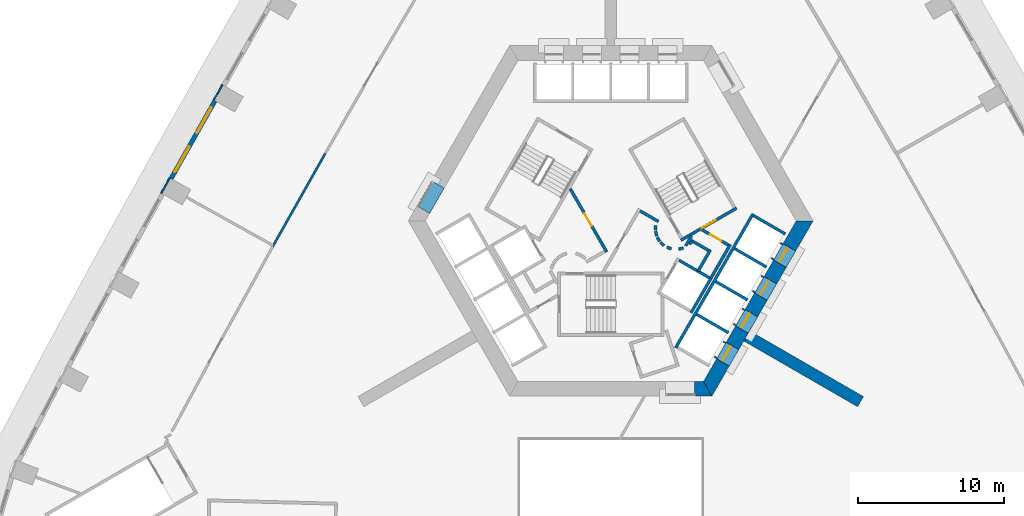
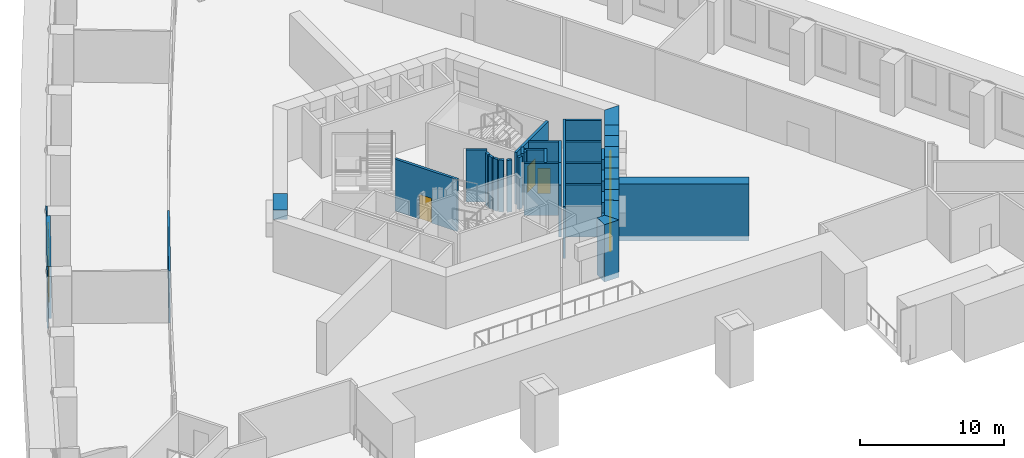
# One storey, part 4 of 15: 42 walls, 7 doors, 2 windows, 9 openings.
"""IFC4 building model written with IfcOpenShell, lengths in metres."""

from ifc_helpers import new_model, si_unit, direction, frame, frame_2d, origin, place, context, subcontext, project, spatial, polyline, rectangle, outline, extrude, material, layer, layer_set, type_object, element, fill, save


model = new_model("IFC4")

# Units and contexts
model_context = context("Model", 3, precision=1e-05, world=origin(), true_north=direction((0.0, 1.0)))
body_context = subcontext(model_context, "Body", "Model", "MODEL_VIEW")
ifc_project = project(units=[si_unit("LENGTHUNIT", "METRE"), si_unit("AREAUNIT", "SQUARE_METRE"), si_unit("VOLUMEUNIT", "CUBIC_METRE"), si_unit("PLANEANGLEUNIT", "RADIAN"), si_unit("MASSUNIT", "GRAM", prefix="KILO")], contexts=[model_context])

# Site, building, storey
site_placement = place(None, origin())
site = spatial("IfcSite", under=ifc_project, at=site_placement, CompositionType="ELEMENT")
building_placement = place(site_placement, origin())
building = spatial("IfcBuilding", under=site, at=building_placement, Name="Entoto Arch Interchange Tower", CompositionType="ELEMENT")
storey_placement = place(building_placement, frame((0.0, 0.0, 30.0)))
storey = spatial("IfcBuildingStorey", under=building, at=storey_placement, Name="L05", CompositionType="ELEMENT", Elevation=30.0)

# Walls
ifc_material_1 = material(Name="Concrete C60/75", Category="concrete")
ifc_layer_1 = layer(ifc_material_1, 0.800048828125)
ifc_layer_set_1 = layer_set([ifc_layer_1], Name="Concrete C60/75")
wall_type_1 = type_object("IfcWallType", Name="Buttress wall 800 C60/75", PredefinedType="SHEAR", material=ifc_layer_set_1)
wall_1_placement = place(storey_placement, frame((9.31005859375, -5.375, -0.449951171875), z_axis=(0.0, 0.0, 1.0), x_axis=(0.866017533419, -0.500013631625, 0.0)))
element("IfcWall", 1, at=wall_1_placement, inside=storey, type_object=wall_type_1, Name="Buttress wall SE L05", PredefinedType="SHEAR", context=body_context, shape_type="SweptSolid", body=[
    extrude(rectangle(XDim=8.999755859375, YDim=0.800048828125, at=frame_2d((4.5, 0.0))), origin(), (0.0, 0.0, 1.0), 4.849853515625),
])
ifc_layer_2 = layer(ifc_material_1, 1.0)
ifc_layer_set_2 = layer_set([ifc_layer_2], Name="Concrete C60/75")
wall_type_2 = type_object("IfcWallType", Name="Core wall 1000 C60/75", PredefinedType="SHEAR", material=ifc_layer_set_2)
wall_2_placement = place(storey_placement, frame((0.0, 0.0, 3.60009765625)))
element("IfcWall", 2, at=wall_2_placement, inside=storey, type_object=wall_type_2, Name="Core wall lintel NW L05", PredefinedType="SHEAR", context=body_context, shape_type="SweptSolid", body=[
    extrude(outline(polyline([(-13.26708984375, 3.52001953125), (-12.402099609375, 3.02001953125), (-11.402099609375, 4.751953125), (-12.26708984375, 5.251953125), (-13.26708984375, 3.52001953125)])), origin(), (0.0, 0.0, 1.0), 0.7998046875),
])
wall_3_placement = place(storey_placement, frame((0.0, 0.0, -0.449951171875)))
element("IfcWall", 3, at=wall_3_placement, inside=storey, type_object=wall_type_2, Name="Core wall S L05", PredefinedType="SHEAR", context=body_context, shape_type="SweptSolid", body=[
    extrude(outline(polyline([(5.75, -8.5), (5.75, -9.5), (6.927978515625, -9.5), (6.35107421875, -8.5), (5.75, -8.5)])), origin(), (0.0, 0.0, 1.0), 4.849853515625),
])
wall_4_placement = place(storey_placement, frame((0.0, 0.0, -0.449951171875)))
element("IfcWall", 4, at=wall_4_placement, inside=storey, type_object=wall_type_2, Name="Core wall SE L05", PredefinedType="SHEAR", context=body_context, shape_type="SweptSolid", body=[
    extrude(outline(polyline([(8.116943359375, -7.43994140625), (7.251953125, -6.93994140625), (6.35107421875, -8.5), (6.927978515625, -9.5), (8.116943359375, -7.43994140625)])), origin(), (0.0, 0.0, 1.0), 4.849853515625),
])
wall_5_placement = place(storey_placement, frame((0.0, 0.0, -0.449951171875)))
element("IfcWall", 5, at=wall_5_placement, inside=storey, type_object=wall_type_2, Name="Core wall SE L05", PredefinedType="SHEAR", context=body_context, shape_type="SweptSolid", body=[
    extrude(outline(polyline([(9.4169921875, -5.18896484375), (8.551025390625, -4.68896484375), (7.902099609375, -5.81396484375), (8.76708984375, -6.31396484375), (9.4169921875, -5.18896484375)])), origin(), (0.0, 0.0, 1.0), 4.849853515625),
])
wall_6_placement = place(storey_placement, frame((0.0, 0.0, -0.449951171875)))
element("IfcWall", 6, at=wall_6_placement, inside=storey, type_object=wall_type_2, Name="Core wall SE L05", PredefinedType="SHEAR", context=body_context, shape_type="SweptSolid", body=[
    extrude(outline(polyline([(10.717041015625, -2.93701171875), (9.85107421875, -2.43701171875), (9.200927734375, -3.56298828125), (10.06689453125, -4.06298828125), (10.717041015625, -2.93701171875)])), origin(), (0.0, 0.0, 1.0), 4.849853515625),
])
wall_7_placement = place(storey_placement, frame((0.0, 0.0, -0.449951171875)))
element("IfcWall", 7, at=wall_7_placement, inside=storey, type_object=wall_type_2, Name="Core wall SE L05", PredefinedType="SHEAR", context=body_context, shape_type="SweptSolid", body=[
    extrude(outline(polyline([(12.01708984375, -0.68603515625), (11.15087890625, -0.18603515625), (10.5009765625, -1.31103515625), (11.366943359375, -1.81103515625), (12.01708984375, -0.68603515625)])), origin(), (0.0, 0.0, 1.0), 4.849853515625),
])
wall_8_placement = place(storey_placement, frame((0.0, 0.0, -0.449951171875)))
element("IfcWall", 8, at=wall_8_placement, inside=storey, type_object=wall_type_2, Name="Core wall SE L05", PredefinedType="SHEAR", context=body_context, shape_type="SweptSolid", body=[
    extrude(outline(polyline([(11.801025390625, 0.93994140625), (12.6669921875, 0.43994140625), (13.85595703125, 2.5), (12.701904296875, 2.5), (11.801025390625, 0.93994140625)])), origin(), (0.0, 0.0, 1.0), 4.849853515625),
])
wall_9_placement = place(storey_placement, frame((0.0, 0.0, 3.60009765625)))
element("IfcWall", 9, at=wall_9_placement, inside=storey, type_object=wall_type_2, Name="Core wall lintel SE L05", PredefinedType="SHEAR", context=body_context, shape_type="SweptSolid", body=[
    extrude(outline(polyline([(8.76708984375, -6.31396484375), (7.902099609375, -5.81396484375), (7.251953125, -6.93994140625), (8.116943359375, -7.43994140625), (8.76708984375, -6.31396484375)])), origin(), (0.0, 0.0, 1.0), 0.7998046875),
])
wall_10_placement = place(storey_placement, frame((0.0, 0.0, 3.60009765625)))
element("IfcWall", 10, at=wall_10_placement, inside=storey, type_object=wall_type_2, Name="Core wall lintel SE L05", PredefinedType="SHEAR", context=body_context, shape_type="SweptSolid", body=[
    extrude(outline(polyline([(10.06689453125, -4.06298828125), (9.200927734375, -3.56298828125), (8.551025390625, -4.68896484375), (9.4169921875, -5.18896484375), (10.06689453125, -4.06298828125)])), origin(), (0.0, 0.0, 1.0), 0.7998046875),
])
wall_11_placement = place(storey_placement, frame((0.0, 0.0, 3.60009765625)))
element("IfcWall", 11, at=wall_11_placement, inside=storey, type_object=wall_type_2, Name="Core wall lintel SE L05", PredefinedType="SHEAR", context=body_context, shape_type="SweptSolid", body=[
    extrude(outline(polyline([(11.366943359375, -1.81103515625), (10.5009765625, -1.31103515625), (9.85107421875, -2.43701171875), (10.717041015625, -2.93701171875), (11.366943359375, -1.81103515625)])), origin(), (0.0, 0.0, 1.0), 0.7998046875),
])
wall_12_placement = place(storey_placement, frame((0.0, 0.0, 3.60009765625)))
element("IfcWall", 12, at=wall_12_placement, inside=storey, type_object=wall_type_2, Name="Core wall lintel SE L05", PredefinedType="SHEAR", context=body_context, shape_type="SweptSolid", body=[
    extrude(outline(polyline([(12.6669921875, 0.43994140625), (11.801025390625, 0.93994140625), (11.15087890625, -0.18603515625), (12.01708984375, -0.68603515625), (12.6669921875, 0.43994140625)])), origin(), (0.0, 0.0, 1.0), 0.7998046875),
])

# Wall, opening, door
ifc_material_2 = material(Name="Concrete C40/50", Category="concrete")
ifc_layer_3 = layer(ifc_material_2, 1.199951171875)
ifc_layer_set_3 = layer_set([ifc_layer_3], Name="Concrete C40/50")
wall_type_3 = type_object("IfcWallType", Name="LIFT LANDING INFILL WALL", PredefinedType="STANDARD", material=ifc_layer_set_3)
wall_13_placement = place(storey_placement, frame((7.597900390625, -7.139892578125, 0.0), z_axis=(0.0, 0.0, 1.0), x_axis=(0.500362116554, 0.865816234728, 0.0)))
wall_13 = element("IfcWall", 13, at=wall_13_placement, inside=storey, type_object=wall_type_3, Name="Lift landing infill wall LR5 L05", PredefinedType="STANDARD", context=body_context, shape_type="SweptSolid", body=[
    extrude(rectangle(XDim=1.29931640625, YDim=1.199951171875, at=frame_2d((0.649658203125, 0.0))), origin(), (0.0, 0.0, 1.0), 2.39990234375),
])
opening_1_placement = place(wall_13_placement, frame((0.10009765625, 0.0, 0.0)))
opening_1 = element("IfcOpeningElement", 14, at=opening_1_placement, cuts=wall_13, Name="Opening LD-LR5-L05", PredefinedType="OPENING", context=body_context, shape_type="SweptSolid", body=[
    extrude(rectangle(XDim=1.10009765625, YDim=2.300048828125, at=frame_2d((0.550048828125, 1.14990234375))), frame((0.0, 0.60986328125, 0.0), z_axis=(0.0, -1.0, 0.0), x_axis=(1.0, 0.0, 0.0)), (0.0, 0.0, 1.0), 1.219970703125),
])
ifc_material_3 = material(Name="Stainless steel 1.4301 panels", Category="steel")
door_type_1 = type_object("IfcDoorType", Name="LIFT LANDING DOOR LD2 1100x2300", OperationType="SLIDING_TO_LEFT", PredefinedType="DOOR", material=ifc_material_3)
door_1_placement = place(opening_1_placement, origin())
door_1 = element("IfcDoor", 15, at=door_1_placement, inside=storey, type_object=door_type_1, Name="Lift landing door LR5 L05", OperationType="SLIDING_TO_LEFT", OverallHeight=2.300048828125, OverallWidth=1.10009765625, PredefinedType="DOOR", context=body_context, shape_type="SweptSolid", body=[
    extrude(rectangle(XDim=1.10009765625, YDim=2.300048828125, at=frame_2d((0.550048828125, 1.14990234375))), frame((0.0, 0.02490234375, 0.0), z_axis=(0.0, -1.0, 0.0), x_axis=(1.0, 0.0, 0.0)), (0.0, 0.0, 1.0), 0.050048828125),
])
fill(opening_1, door_1)

wall_14_placement = place(storey_placement, frame((8.89794921875, -4.888916015625, 0.0), z_axis=(0.0, 0.0, 1.0), x_axis=(0.500036693733, 0.866004217611, 0.0)))
wall_14 = element("IfcWall", 16, at=wall_14_placement, inside=storey, type_object=wall_type_3, Name="Lift landing infill wall LR6 L05", PredefinedType="STANDARD", context=body_context, shape_type="SweptSolid", body=[
    extrude(rectangle(XDim=1.30029296875, YDim=1.199951171875, at=frame_2d((0.650146484375, 0.0))), origin(), (0.0, 0.0, 1.0), 2.39990234375),
])
opening_2_placement = place(wall_14_placement, frame((0.10009765625, 0.0, 0.0)))
opening_2 = element("IfcOpeningElement", 17, at=opening_2_placement, cuts=wall_14, Name="Opening LD-LR6-L05", PredefinedType="OPENING", context=body_context, shape_type="SweptSolid", body=[
    extrude(rectangle(XDim=1.10009765625, YDim=2.300048828125, at=frame_2d((0.550048828125, 1.14990234375))), frame((0.0, 0.60986328125, 0.0), z_axis=(0.0, -1.0, 0.0), x_axis=(1.0, 0.0, 0.0)), (0.0, 0.0, 1.0), 1.219970703125),
])
door_2_placement = place(opening_2_placement, origin())
door_2 = element("IfcDoor", 18, at=door_2_placement, inside=storey, type_object=door_type_1, Name="Lift landing door LR6 L05", OperationType="SLIDING_TO_LEFT", OverallHeight=2.300048828125, OverallWidth=1.10009765625, PredefinedType="DOOR", context=body_context, shape_type="SweptSolid", body=[
    extrude(rectangle(XDim=1.10009765625, YDim=2.300048828125, at=frame_2d((0.550048828125, 1.14990234375))), frame((0.0, 0.02490234375, 0.0), z_axis=(0.0, -1.0, 0.0), x_axis=(1.0, 0.0, 0.0)), (0.0, 0.0, 1.0), 0.050048828125),
])
fill(opening_2, door_2)

wall_15_placement = place(storey_placement, frame((10.197998046875, -2.636962890625, 0.0), z_axis=(0.0, 0.0, 1.0), x_axis=(0.49989585183, 0.866085525409, 0.0)))
wall_15 = element("IfcWall", 19, at=wall_15_placement, inside=storey, type_object=wall_type_3, Name="Lift landing infill wall LR7 L05", PredefinedType="STANDARD", context=body_context, shape_type="SweptSolid", body=[
    extrude(rectangle(XDim=1.300048828125, YDim=1.199951171875, at=frame_2d((0.64990234375, 0.0))), origin(), (0.0, 0.0, 1.0), 2.39990234375),
])
opening_3_placement = place(wall_15_placement, frame((0.10009765625, 0.0, 0.0)))
opening_3 = element("IfcOpeningElement", 20, at=opening_3_placement, cuts=wall_15, Name="Opening LD-LR7-L05", PredefinedType="OPENING", context=body_context, shape_type="SweptSolid", body=[
    extrude(rectangle(XDim=1.10009765625, YDim=2.300048828125, at=frame_2d((0.550048828125, 1.14990234375))), frame((0.0, 0.60986328125, 0.0), z_axis=(0.0, -1.0, 0.0), x_axis=(1.0, 0.0, 0.0)), (0.0, 0.0, 1.0), 1.219970703125),
])
door_3_placement = place(opening_3_placement, origin())
door_3 = element("IfcDoor", 21, at=door_3_placement, inside=storey, type_object=door_type_1, Name="Lift landing door LR7 L05", OperationType="SLIDING_TO_LEFT", OverallHeight=2.300048828125, OverallWidth=1.10009765625, PredefinedType="DOOR", context=body_context, shape_type="SweptSolid", body=[
    extrude(rectangle(XDim=1.10009765625, YDim=2.300048828125, at=frame_2d((0.550048828125, 1.14990234375))), frame((0.0, 0.02490234375, 0.0), z_axis=(0.0, -1.0, 0.0), x_axis=(1.0, 0.0, 0.0)), (0.0, 0.0, 1.0), 0.050048828125),
])
fill(opening_3, door_3)

wall_16_placement = place(storey_placement, frame((11.498046875, -0.385009765625, 0.0), z_axis=(0.0, 0.0, 1.0), x_axis=(0.500221244143, 0.865897630733, 0.0)))
wall_16 = element("IfcWall", 22, at=wall_16_placement, inside=storey, type_object=wall_type_3, Name="Lift landing infill wall LR8 L05", PredefinedType="STANDARD", context=body_context, shape_type="SweptSolid", body=[
    extrude(rectangle(XDim=1.29931640625, YDim=1.199951171875, at=frame_2d((0.649658203125, 0.0))), origin(), (0.0, 0.0, 1.0), 2.39990234375),
])
opening_4_placement = place(wall_16_placement, frame((0.10009765625, 0.0, 0.0)))
opening_4 = element("IfcOpeningElement", 23, at=opening_4_placement, cuts=wall_16, Name="Opening LD-LR8-L05", PredefinedType="OPENING", context=body_context, shape_type="SweptSolid", body=[
    extrude(rectangle(XDim=1.10009765625, YDim=2.300048828125, at=frame_2d((0.550048828125, 1.14990234375))), frame((0.0, 0.60986328125, 0.0), z_axis=(0.0, -1.0, 0.0), x_axis=(1.0, 0.0, 0.0)), (0.0, 0.0, 1.0), 1.219970703125),
])
door_4_placement = place(opening_4_placement, origin())
door_4 = element("IfcDoor", 24, at=door_4_placement, inside=storey, type_object=door_type_1, Name="Lift landing door LR8 L05", OperationType="SLIDING_TO_LEFT", OverallHeight=2.300048828125, OverallWidth=1.10009765625, PredefinedType="DOOR", context=body_context, shape_type="SweptSolid", body=[
    extrude(rectangle(XDim=1.10009765625, YDim=2.300048828125, at=frame_2d((0.550048828125, 1.14990234375))), frame((0.0, 0.02490234375, 0.0), z_axis=(0.0, -1.0, 0.0), x_axis=(1.0, 0.0, 0.0)), (0.0, 0.0, 1.0), 0.050048828125),
])
fill(opening_4, door_4)

# Walls
ifc_layer_4 = layer(ifc_material_2, 0.199951171875)
ifc_layer_set_4 = layer_set([ifc_layer_4], Name="Concrete C40/50")
wall_type_4 = type_object("IfcWallType", Name="LIFT SHAFT WALL 200", PredefinedType="STANDARD", material=ifc_layer_set_4)
wall_17_placement = place(storey_placement, frame((5.491943359375, -3.7880859375, 0.0), z_axis=(0.0, 0.0, 1.0), x_axis=(0.500011755427, 0.866018616679, 0.0)))
element("IfcWall", 25, at=wall_17_placement, inside=storey, type_object=wall_type_4, Name="Shaft wall SE1 back", PredefinedType="STANDARD", context=body_context, shape_type="SweptSolid", body=[
    extrude(rectangle(XDim=2.80029296875, YDim=0.199951171875, at=frame_2d((1.400146484375, 0.0))), origin(), (0.0, 0.0, 1.0), 4.39990234375),
])
wall_18_placement = place(storey_placement, frame((4.677001953125, -0.199951171875, 0.0), z_axis=(0.0, 0.0, 1.0), x_axis=(0.865973769406, -0.500089422704, 0.0)))
element("IfcWall", 26, at=wall_18_placement, inside=storey, type_object=wall_type_4, Name="Shaft wall SE1 cross 2", PredefinedType="STANDARD", context=body_context, shape_type="SweptSolid", body=[
    extrude(rectangle(XDim=2.3994140625, YDim=0.199951171875, at=frame_2d((1.19970703125, 0.0))), origin(), (0.0, 0.0, 1.0), 4.39990234375),
])
wall_19_placement = place(storey_placement, frame((4.450927734375, -6.18994140625, 0.0), z_axis=(0.0, 0.0, 1.0), x_axis=(0.50000090737, 0.866024879913, 0.0)))
element("IfcWall", 27, at=wall_19_placement, inside=storey, type_object=wall_type_4, Name="Shaft wall SE3 front", PredefinedType="STANDARD", context=body_context, shape_type="SweptSolid", body=[
    extrude(rectangle(XDim=10.60009765625, YDim=0.199951171875, at=frame_2d((5.300048828125, 0.0))), origin(), (0.0, 0.0, 1.0), 4.39990234375),
])
for number, where, z_axis, x_axis, name in (
    (28, (5.887939453125, -3.902099609375, 0.0), (0.0, 0.0, 1.0), (0.866022959057, -0.500004234368, 0.0), "Shaft wall SE3 cross 2"),
    (29, (7.18798828125, -1.64990234375, 0.0), (0.0, 0.0, 1.0), (0.866022959057, -0.500004234368, 0.0), "Shaft wall SE3 cross 3"),
    (30, (8.488037109375, 0.60205078125, 0.0), (0.0, 0.0, 1.0), (0.866022959057, -0.500004234368, 0.0), "Shaft wall SE3 cross 4"),
):
    element("IfcWall", number, at=place(storey_placement, frame(where, z_axis=z_axis, x_axis=x_axis)), inside=storey, type_object=wall_type_4, Name=name, PredefinedType="STANDARD", context=body_context, shape_type="SweptSolid", body=[
        extrude(rectangle(XDim=2.5, YDim=0.199951171875, at=frame_2d((1.25, 0.0))), origin(), (0.0, 0.0, 1.0), 4.39990234375),
    ])
wall_20_placement = place(storey_placement, frame((9.7880859375, 2.85302734375, 0.0), z_axis=(0.0, 0.0, 1.0), x_axis=(0.865998541277, -0.500046524342, 0.0)))
element("IfcWall", 31, at=wall_20_placement, inside=storey, type_object=wall_type_4, Name="Shaft wall SE3 cross 5", PredefinedType="STANDARD", context=body_context, shape_type="SweptSolid", body=[
    extrude(rectangle(XDim=2.499755859375, YDim=0.199951171875, at=frame_2d((1.25, 0.0))), origin(), (0.0, 0.0, 1.0), 4.39990234375),
])
ifc_material_4 = material(Name="Gypsum board partition on steel studs", Category="steel")
ifc_layer_5 = layer(ifc_material_4, 0.14990234375)
ifc_layer_set_5 = layer_set([ifc_layer_5], Name="Gypsum board partition on steel studs")
wall_type_5 = type_object("IfcWallType", Name="PARTITION 150", PredefinedType="PARTITIONING", material=ifc_layer_set_5)
wall_21_placement = place(storey_placement, frame((-19.554931640625, 7.112060546875, 0.0), z_axis=(0.0, 0.0, 1.0), x_axis=(-0.491625820386, -0.87080655299, 0.0)))
element("IfcWall", 32, at=wall_21_placement, inside=storey, type_object=wall_type_5, Name="wall:L05:p065", PredefinedType="PARTITIONING", context=body_context, shape_type="SweptSolid", body=[
    extrude(rectangle(XDim=7.310546875, YDim=0.14990234375, at=frame_2d((3.6552734375, 0.0))), origin(), (0.0, 0.0, 1.0), 4.39990234375),
])
ifc_layer_6 = layer(ifc_material_4, 0.199951171875)
ifc_layer_set_6 = layer_set([ifc_layer_6], Name="Gypsum board partition on steel studs")
wall_type_6 = type_object("IfcWallType", Name="PARTITION 200", PredefinedType="PARTITIONING", material=ifc_layer_set_6)
wall_22_placement = place(storey_placement, frame((5.389892578125, 0.89794921875, 0.0), z_axis=(0.0, 0.0, 1.0), x_axis=(0.673828488714, 0.738887791073, 0.0)))
element("IfcWall", 33, at=wall_22_placement, inside=storey, type_object=wall_type_6, Name="wall:L05:p001", PredefinedType="PARTITIONING", context=body_context, shape_type="SweptSolid", body=[
    extrude(rectangle(XDim=0.2626953125, YDim=0.199951171875, at=frame_2d((0.13134765625, 0.0))), origin(), (0.0, 0.0, 1.0), 4.39990234375),
])
wall_23_placement = place(storey_placement, frame((5.4990234375, 1.172119140625, 0.0), z_axis=(0.0, 0.0, 1.0), x_axis=(0.866333505267, -0.499465972466, 0.0)))
element("IfcWall", 34, at=wall_23_placement, inside=storey, type_object=wall_type_6, Name="wall:L05:p002", PredefinedType="PARTITIONING", context=body_context, shape_type="SweptSolid", body=[
    extrude(rectangle(XDim=1.37353515625, YDim=0.199951171875, at=frame_2d((0.686767578125, 0.0))), origin(), (0.0, 0.0, 1.0), 4.39990234375),
])
wall_24_placement = place(storey_placement, frame((6.825927734375, 0.52197265625, 0.0), z_axis=(0.0, 0.0, 1.0), x_axis=(-0.500016722714, -0.866015748706, 0.0)))
element("IfcWall", 35, at=wall_24_placement, inside=storey, type_object=wall_type_6, Name="wall:L05:p003", PredefinedType="PARTITIONING", context=body_context, shape_type="SweptSolid", body=[
    extrude(rectangle(XDim=1.69970703125, YDim=0.199951171875, at=frame_2d((0.849853515625, 0.0))), origin(), (0.0, 0.0, 1.0), 4.39990234375),
])
wall_25_placement = place(storey_placement, frame((8.19189453125, 0.887939453125, 0.0), z_axis=(0.0, 0.0, 1.0), x_axis=(-0.499940625693, -0.866059680843, 0.0)))
element("IfcWall", 36, at=wall_25_placement, inside=storey, type_object=wall_type_6, Name="wall:L05:p004", PredefinedType="PARTITIONING", context=body_context, shape_type="SweptSolid", body=[
    extrude(rectangle(XDim=2.679931640625, YDim=0.199951171875, at=frame_2d((1.33984375, 0.0))), origin(), (0.0, 0.0, 1.0), 4.39990234375),
])
wall_26_placement = place(storey_placement, frame((5.135009765625, 0.79296875, 0.0), z_axis=(0.0, 0.0, 1.0), x_axis=(0.499526442893, 0.866298639529, 0.0)))
element("IfcWall", 37, at=wall_26_placement, inside=storey, type_object=wall_type_6, Name="wall:L05:p005", PredefinedType="PARTITIONING", context=body_context, shape_type="SweptSolid", body=[
    extrude(rectangle(XDim=0.790771484375, YDim=0.199951171875, at=frame_2d((0.3955078125, 0.0))), origin(), (0.0, 0.0, 1.0), 4.39990234375),
])

# Wall, opening, door
wall_27_placement = place(storey_placement, frame((6.25, 1.89404296875, 0.0), z_axis=(0.0, 0.0, 1.0), x_axis=(0.866043184279, -0.499969202016, 0.0)))
wall_27 = element("IfcWall", 38, at=wall_27_placement, inside=storey, type_object=wall_type_6, Name="wall:L05:p006", PredefinedType="PARTITIONING", context=body_context, shape_type="SweptSolid", body=[
    extrude(rectangle(XDim=2.084228515625, YDim=0.199951171875, at=frame_2d((1.0419921875, 0.0))), origin(), (0.0, 0.0, 1.0), 4.39990234375),
])
opening_5_placement = place(wall_27_placement, frame((0.64208984375, 0.0, 0.0)))
opening_5 = element("IfcOpeningElement", 39, at=opening_5_placement, cuts=wall_27, Name="Opening L05-D12", PredefinedType="OPENING", context=body_context, shape_type="SweptSolid", body=[
    extrude(rectangle(XDim=0.89990234375, YDim=2.10009765625, at=frame_2d((0.449951171875, 1.050048828125))), frame((0.0, 0.10986328125, 0.0), z_axis=(0.0, -1.0, 0.0), x_axis=(1.0, 0.0, 0.0)), (0.0, 0.0, 1.0), 0.219970703125),
])
ifc_material_5 = material(Name="Timber door leaf in Steel S235 frame", Category="steel")
door_type_2 = type_object("IfcDoorType", Name="DOOR DS-09 900x2100", OperationType="SINGLE_SWING_LEFT", PredefinedType="DOOR", material=ifc_material_5)
door_5_placement = place(opening_5_placement, origin())
door_5 = element("IfcDoor", 40, at=door_5_placement, inside=storey, type_object=door_type_2, Name="door:L05:12", OperationType="SINGLE_SWING_LEFT", OverallHeight=2.10009765625, OverallWidth=0.89990234375, PredefinedType="DOOR", context=body_context, shape_type="SweptSolid", body=[
    extrude(rectangle(XDim=0.89990234375, YDim=2.10009765625, at=frame_2d((0.449951171875, 1.050048828125))), frame((0.0, 0.02490234375, 0.0), z_axis=(0.0, -1.0, 0.0), x_axis=(1.0, 0.0, 0.0)), (0.0, 0.0, 1.0), 0.050048828125),
])
fill(opening_5, door_5)

# Walls
wall_28_placement = place(storey_placement, frame((3.0791015625, 2.198974609375, 0.0), z_axis=(0.0, 0.0, 1.0), x_axis=(-0.047771483479, -0.998858290933, 0.0)))
element("IfcWall", 41, at=wall_28_placement, inside=storey, type_object=wall_type_6, Name="wall:L05:p016", PredefinedType="PARTITIONING", context=body_context, shape_type="SweptSolid", body=[
    extrude(rectangle(XDim=0.33740234375, YDim=0.199951171875, at=frame_2d((0.168701171875, 0.0))), origin(), (0.0, 0.0, 1.0), 4.39990234375),
])
wall_29_placement = place(storey_placement, frame((3.070068359375, 1.785888671875, 0.0), z_axis=(0.0, 0.0, 1.0), x_axis=(0.242705583207, -0.970099994784, 0.0)))
element("IfcWall", 42, at=wall_29_placement, inside=storey, type_object=wall_type_6, Name="wall:L05:p017", PredefinedType="PARTITIONING", context=body_context, shape_type="SweptSolid", body=[
    extrude(rectangle(XDim=0.337890625, YDim=0.199951171875, at=frame_2d((0.1689453125, 0.0))), origin(), (0.0, 0.0, 1.0), 4.39990234375),
])
for number, where, z_axis, x_axis, name in (
    (43, (3.181884765625, 1.387939453125, 0.0), (0.0, 0.0, 1.0), (0.512474702713, -0.85870232274, 0.0), "wall:L05:p018"),
    (44, (3.404052734375, 1.0390625, 0.0), (0.0, 0.0, 1.0), (0.740267097712, -0.672312891476, 0.0), "wall:L05:p019"),
):
    element("IfcWall", number, at=place(storey_placement, frame(where, z_axis=z_axis, x_axis=x_axis)), inside=storey, type_object=wall_type_6, Name=name, PredefinedType="PARTITIONING", context=body_context, shape_type="SweptSolid", body=[
        extrude(rectangle(XDim=0.337646484375, YDim=0.199951171875, at=frame_2d((0.1689453125, 0.0))), origin(), (0.0, 0.0, 1.0), 4.39990234375),
    ])
wall_30_placement = place(storey_placement, frame((3.837890625, 0.701904296875, 0.0), z_axis=(0.0, 0.0, 1.0), x_axis=(0.941035081519, -0.338308993895, 0.0)))
element("IfcWall", 45, at=wall_30_placement, inside=storey, type_object=wall_type_6, Name="wall:L05:p020", PredefinedType="PARTITIONING", context=body_context, shape_type="SweptSolid", body=[
    extrude(rectangle(XDim=0.3369140625, YDim=0.199951171875, at=frame_2d((0.16845703125, 0.0))), origin(), (0.0, 0.0, 1.0), 4.39990234375),
])
wall_31_placement = place(storey_placement, frame((4.64404296875, 0.56396484375, 0.0), z_axis=(0.0, 0.0, 1.0), x_axis=(0.969929076366, 0.243387729394, 0.0)))
element("IfcWall", 46, at=wall_31_placement, inside=storey, type_object=wall_type_6, Name="wall:L05:p021", PredefinedType="PARTITIONING", context=body_context, shape_type="SweptSolid", body=[
    extrude(rectangle(XDim=0.337158203125, YDim=0.199951171875, at=frame_2d((0.16845703125, 0.0))), origin(), (0.0, 0.0, 1.0), 4.39990234375),
])
wall_32_placement = place(storey_placement, frame((2.011962890625, 3.18603515625, 0.0), z_axis=(0.0, 0.0, 1.0), x_axis=(0.865891012941, -0.500232699559, 0.0)))
element("IfcWall", 47, at=wall_32_placement, inside=storey, type_object=wall_type_6, Name="wall:L05:p023", PredefinedType="PARTITIONING", context=body_context, shape_type="SweptSolid", body=[
    extrude(rectangle(XDim=1.449462890625, YDim=0.199951171875, at=frame_2d((0.724609375, 0.0))), origin(), (0.0, 0.0, 1.0), 4.39990234375),
])

# Wall, opening, door
wall_33_placement = place(storey_placement, frame((-2.77099609375, 4.699951171875, 0.0), z_axis=(0.0, 0.0, 1.0), x_axis=(0.499969479948, -0.866043023828, 0.0)))
wall_33 = element("IfcWall", 48, at=wall_33_placement, inside=storey, type_object=wall_type_6, Name="wall:L05:p031", PredefinedType="PARTITIONING", context=body_context, shape_type="SweptSolid", body=[
    extrude(rectangle(XDim=4.990478515625, YDim=0.199951171875, at=frame_2d((2.4951171875, 0.0))), origin(), (0.0, 0.0, 1.0), 4.39990234375),
])
opening_6_placement = place(wall_33_placement, frame((1.945068359375, 0.0, 0.0)))
opening_6 = element("IfcOpeningElement", 49, at=opening_6_placement, cuts=wall_33, Name="Opening L05-D11", PredefinedType="OPENING", context=body_context, shape_type="SweptSolid", body=[
    extrude(rectangle(XDim=1.0, YDim=2.10009765625, at=frame_2d((0.5, 1.050048828125))), frame((0.0, 0.10986328125, 0.0), z_axis=(0.0, -1.0, 0.0), x_axis=(1.0, 0.0, 0.0)), (0.0, 0.0, 1.0), 0.219970703125),
])
ifc_material_6 = material(Name="Fire-rated Steel S235 door and frame", Category="steel")
door_type_3 = type_object("IfcDoorType", Name="DOOR FD-10 1000x2100", OperationType="SINGLE_SWING_LEFT", PredefinedType="DOOR", material=ifc_material_6)
door_6_placement = place(opening_6_placement, origin())
door_6 = element("IfcDoor", 50, at=door_6_placement, inside=storey, type_object=door_type_3, Name="door:L05:11", OperationType="SINGLE_SWING_RIGHT", OverallHeight=2.10009765625, OverallWidth=1.0, PredefinedType="DOOR", context=body_context, shape_type="SweptSolid", body=[
    extrude(rectangle(XDim=1.0, YDim=2.10009765625, at=frame_2d((0.5, 1.050048828125))), frame((0.0, 0.02490234375, 0.0), z_axis=(0.0, -1.0, 0.0), x_axis=(1.0, 0.0, 0.0)), (0.0, 0.0, 1.0), 0.050048828125),
])
fill(opening_6, door_6)

ifc_layer_7 = layer(ifc_material_2, 0.199951171875)
ifc_layer_set_7 = layer_set([ifc_layer_7], Name="Concrete C40/50")
wall_type_7 = type_object("IfcWallType", Name="STAIR ENCLOSURE WALL 200", PredefinedType="STANDARD", material=ifc_layer_set_7)
wall_34_placement = place(storey_placement, frame((4.805908203125, 1.176025390625, 0.0), z_axis=(0.0, 0.0, 1.0), x_axis=(0.866059941101, 0.499940174841, 0.0)))
wall_34 = element("IfcWall", 51, at=wall_34_placement, inside=storey, type_object=wall_type_7, Name="Stair wall ST-NE near", PredefinedType="STANDARD", context=body_context, shape_type="SweptSolid", body=[
    extrude(rectangle(XDim=4.400390625, YDim=0.199951171875, at=frame_2d((2.2001953125, 0.0))), origin(), (0.0, 0.0, 1.0), 4.39990234375),
])
opening_7_placement = place(wall_34_placement, frame((1.64990234375, 0.0, 0.0)))
opening_7 = element("IfcOpeningElement", 52, at=opening_7_placement, cuts=wall_34, Name="Opening SD-ST-NE-L05-E", PredefinedType="OPENING", context=body_context, shape_type="SweptSolid", body=[
    extrude(rectangle(XDim=1.10009765625, YDim=2.199951171875, at=frame_2d((0.550048828125, 1.10009765625))), frame((0.0, 0.10986328125, 0.0), z_axis=(0.0, -1.0, 0.0), x_axis=(1.0, 0.0, 0.0)), (0.0, 0.0, 1.0), 0.219970703125),
])
ifc_material_7 = material(Name="Steel S235", Category="steel")
door_type_4 = type_object("IfcDoorType", Name="STAIR DOOR SD1 1100x2200", OperationType="SINGLE_SWING_LEFT", PredefinedType="DOOR", material=ifc_material_7)
door_7_placement = place(opening_7_placement, origin())
door_7 = element("IfcDoor", 53, at=door_7_placement, inside=storey, type_object=door_type_4, Name="Stair door ST-NE L05 end", OperationType="SINGLE_SWING_LEFT", OverallHeight=2.199951171875, OverallWidth=1.10009765625, PredefinedType="DOOR", context=body_context, shape_type="SweptSolid", body=[
    extrude(rectangle(XDim=1.10009765625, YDim=2.199951171875, at=frame_2d((0.550048828125, 1.10009765625))), frame((0.0, 0.02490234375, 0.0), z_axis=(0.0, -1.0, 0.0), x_axis=(1.0, 0.0, 0.0)), (0.0, 0.0, 1.0), 0.050048828125),
])
fill(opening_7, door_7)

# Wall, openings, windows
ifc_material_8 = material(Name="Welded tuff (ignimbrite) cladding, warm buff", Category="masonry")
ifc_layer_8 = layer(ifc_material_8, 0.300048828125)
ifc_layer_set_8 = layer_set([ifc_layer_8], Name="Welded tuff (ignimbrite) cladding, warm buff")
wall_type_8 = type_object("IfcWallType", Name="STONE INFILL WALL 300", PredefinedType="STANDARD", material=ifc_layer_set_8)
wall_35_placement = place(storey_placement, frame((-27.10107421875, 10.72998046875, 0.0), z_axis=(0.0, 0.0, 1.0), x_axis=(-0.491661677717, -0.870786308267, 0.0)))
wall_35 = element("IfcWall", 54, at=wall_35_placement, inside=storey, type_object=wall_type_8, Name="Facade wall NW-06 L05", PredefinedType="STANDARD", context=body_context, shape_type="SweptSolid", body=[
    extrude(rectangle(XDim=6.1220703125, YDim=0.300048828125, at=frame_2d((3.06103515625, 0.0))), origin(), (0.0, 0.0, 1.0), 4.39990234375),
])
opening_8_placement = place(wall_35_placement, frame((0.531005859375, 0.0, 1.0)))
opening_8 = element("IfcOpeningElement", 55, at=opening_8_placement, cuts=wall_35, Name="Opening WP-E", PredefinedType="OPENING", context=body_context, shape_type="SweptSolid", body=[
    extrude(rectangle(XDim=2.0, YDim=3.199951171875, at=frame_2d((1.0, 1.60009765625))), frame((0.0, 0.16015625, 0.0), z_axis=(0.0, -1.0, 0.0), x_axis=(1.0, 0.0, 0.0)), (0.0, 0.0, 1.0), 0.320068359375),
])
opening_9_placement = place(wall_35_placement, frame((3.592041015625, 0.0, 1.0)))
opening_9 = element("IfcOpeningElement", 56, at=opening_9_placement, cuts=wall_35, Name="Opening WP-E", PredefinedType="OPENING", context=body_context, shape_type="SweptSolid", body=[
    extrude(rectangle(XDim=2.0, YDim=3.199951171875, at=frame_2d((1.0, 1.60009765625))), frame((0.0, 0.16015625, 0.0), z_axis=(0.0, -1.0, 0.0), x_axis=(1.0, 0.0, 0.0)), (0.0, 0.0, 1.0), 0.320068359375),
])
ifc_material_9 = material(Name="Clear glass, low-e double glazed", Category="glass")
window_type = type_object("IfcWindowType", Name="WINDOW WP-E 2000x3200", PartitioningType="DOUBLE_PANEL_VERTICAL", PredefinedType="WINDOW", material=ifc_material_9)
window_1_placement = place(opening_8_placement, origin())
window_1 = element("IfcWindow", 57, at=window_1_placement, inside=storey, type_object=window_type, Name="Window WP-E NW-06 L05", OverallHeight=3.199951171875, OverallWidth=2.0, PartitioningType="SINGLE_PANEL", PredefinedType="WINDOW", context=body_context, shape_type="SweptSolid", body=[
    extrude(rectangle(XDim=2.0, YDim=3.199951171875, at=frame_2d((1.0, 1.60009765625))), frame((0.0, 0.030029296875, 0.0), z_axis=(0.0, -1.0, 0.0), x_axis=(1.0, 0.0, 0.0)), (0.0, 0.0, 1.0), 0.06005859375),
])
fill(opening_8, window_1)
window_2_placement = place(opening_9_placement, origin())
window_2 = element("IfcWindow", 58, at=window_2_placement, inside=storey, type_object=window_type, Name="Window WP-E NW-06 L05", OverallHeight=3.199951171875, OverallWidth=2.0, PartitioningType="SINGLE_PANEL", PredefinedType="WINDOW", context=body_context, shape_type="SweptSolid", body=[
    extrude(rectangle(XDim=2.0, YDim=3.199951171875, at=frame_2d((1.0, 1.60009765625))), frame((0.0, 0.030029296875, 0.0), z_axis=(0.0, -1.0, 0.0), x_axis=(1.0, 0.0, 0.0)), (0.0, 0.0, 1.0), 0.06005859375),
])
fill(opening_9, window_2)

# Walls
ifc_layer_9 = layer(ifc_material_8, 0.10009765625)
ifc_layer_set_9 = layer_set([ifc_layer_9], Name="Welded tuff (ignimbrite) cladding, warm buff")
wall_type_9 = type_object("IfcWallType", Name="STONE PIER CLADDING 100", PredefinedType="STANDARD", material=ifc_layer_set_9)
wall_36_placement = place(storey_placement, frame((-26.595947265625, 11.822021484375, 0.0), z_axis=(0.0, 0.0, 1.0), x_axis=(-0.495854054996, -0.868405870629, 0.0)))
element("IfcWall", 59, at=wall_36_placement, inside=storey, type_object=wall_type_9, Name="Stone pier NW06 L05", PredefinedType="STANDARD", context=body_context, shape_type="SweptSolid", body=[
    extrude(rectangle(XDim=1.199951171875, YDim=0.10009765625, at=frame_2d((0.60009765625, 0.0))), origin(), (0.0, 0.0, 1.0), 4.39990234375),
])
wall_37_placement = place(storey_placement, frame((-30.199951171875, 5.449951171875, 0.0), z_axis=(0.0, 0.0, 1.0), x_axis=(-0.486817526853, -0.873503689488, 0.0)))
element("IfcWall", 60, at=wall_37_placement, inside=storey, type_object=wall_type_9, Name="Stone pier NW07 L05", PredefinedType="STANDARD", context=body_context, shape_type="SweptSolid", body=[
    extrude(rectangle(XDim=1.19970703125, YDim=0.10009765625, at=frame_2d((0.599853515625, 0.0))), origin(), (0.0, 0.0, 1.0), 4.39990234375),
])

save(model, "model.ifc")
